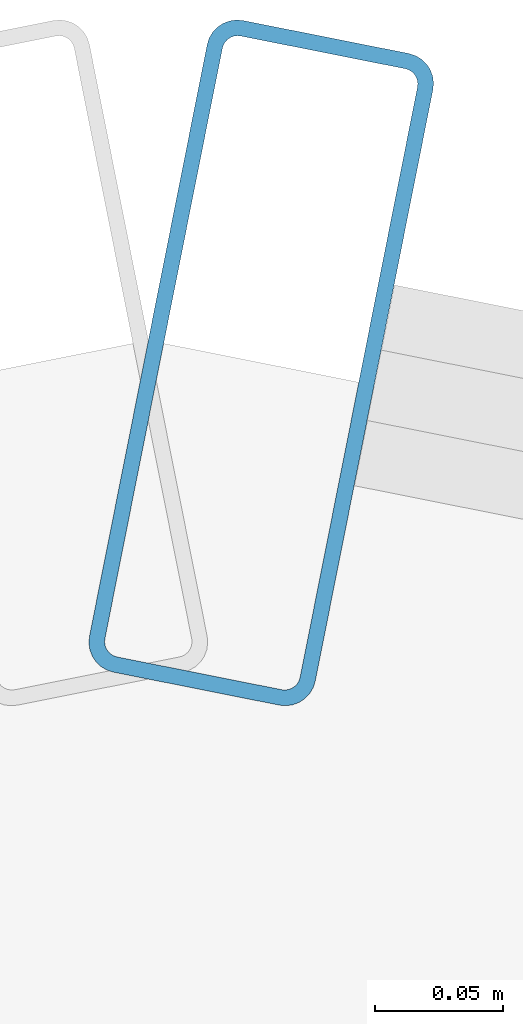
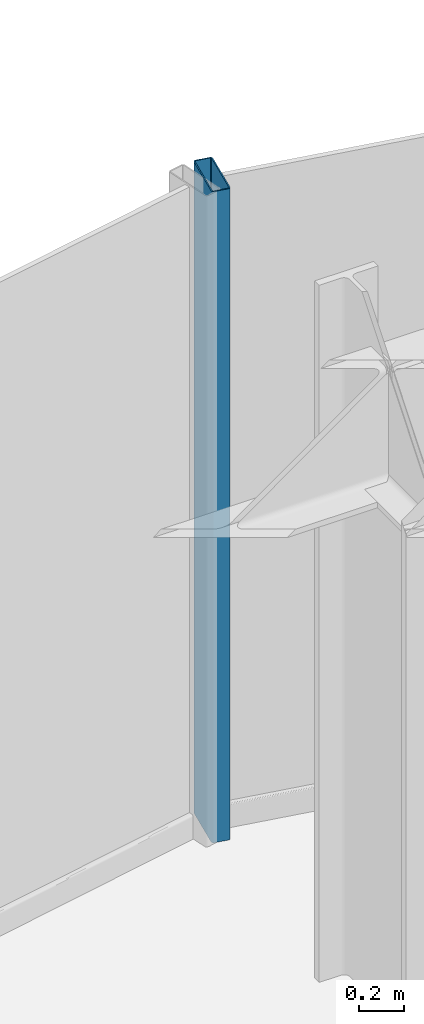
# One storey, part 18 of 26: 1 member, 1 element without a shape of its own.
"""IFC4 building model written with IfcOpenShell, lengths in metres."""

from ifc_helpers import new_model, si_unit, direction, frame, origin, origin_2d, place, context, subcontext, project, spatial, hollow_rectangle, extrude, source, transform, mapped, material, layer, layer_set, material_profile, profile_set, type_object, element, aggregate, save


model = new_model("IFC4")

# Units and contexts
model_context = context("Model", 3, precision=1e-05, world=origin(), true_north=direction((0.0, 1.0)))
body_context = subcontext(model_context, "Body", "Model", "MODEL_VIEW")
ifc_project = project(units=[si_unit("LENGTHUNIT", "METRE"), si_unit("AREAUNIT", "SQUARE_METRE"), si_unit("VOLUMEUNIT", "CUBIC_METRE"), si_unit("PLANEANGLEUNIT", "RADIAN"), si_unit("MASSUNIT", "GRAM", prefix="KILO")], contexts=[model_context])

# Site, building, storey
site_placement = place(None, origin())
site = spatial("IfcSite", under=ifc_project, at=site_placement, CompositionType="ELEMENT")
building_placement = place(site_placement, origin())
building = spatial("IfcBuilding", under=site, at=building_placement, Name="Nefas-Gora Pilgrimage Tower", CompositionType="ELEMENT")
storey_placement = place(building_placement, frame((0.0, 0.0, 160.199951171875)))
storey = spatial("IfcBuildingStorey", under=building, at=storey_placement, Name="L39", CompositionType="ELEMENT", Elevation=160.199951171875)

# Curtain wall, member
ifc_material_1 = material(Name="Dark ceramic-fritted solar-control aluminium-glass curtain wall", Category="aluminium")
ifc_layer = layer(ifc_material_1, 0.219970703125)
ifc_layer_set = layer_set([ifc_layer], Name="Dark ceramic-fritted solar-control aluminium-glass curtain wall")
curtain_wall_type = type_object("IfcCurtainWallType", Name="CW-SYS-5", PredefinedType="NOTDEFINED", material=ifc_layer_set)
curtain_wall_placement = place(storey_placement, origin())
curtain_wall = element("IfcCurtainWall", 1, at=curtain_wall_placement, inside=storey, type_object=curtain_wall_type, Name="L39 Unitised Curtain Wall CW5", PredefinedType="NOTDEFINED")
ifc_material_2 = material(Name="Anodised architectural aluminium", Category="aluminium")
ifc_material_profile = material_profile(ifc_material_2, hollow_rectangle(XDim=0.090087890625, YDim=0.260009765625, WallThickness=0.006103515625, InnerFilletRadius=0.006103515625, OuterFilletRadius=0.011962890625, at=origin_2d()), Name="ALU MULLION 90x260")
ifc_profile_set = profile_set([ifc_material_profile], Name="Anodised architectural aluminium")
member_type = type_object("IfcMemberType", Name="CWM-MUL-5", PredefinedType="MULLION", material=ifc_profile_set)
shared_shape = source(origin(), body_context, "Body", "SweptSolid", [
    extrude(hollow_rectangle(XDim=0.090087890625, YDim=0.260009765625, WallThickness=0.006103515625, InnerFilletRadius=0.006103515625, OuterFilletRadius=0.011962890625, at=origin_2d()), origin(), (0.0, 0.0, 1.0), 3.550048828125),
])
member_placement = place(storey_placement, frame((-2.205810546875, 24.16357421875, 0.0), z_axis=(0.0, 0.0, 1.0), x_axis=(-0.980782896852, 0.195102304554, 0.0)))
member = element("IfcMember", 2, at=member_placement, type_object=member_type, Name="CW5 Mullion 2", PredefinedType="MULLION", context=body_context, shape_type="MappedRepresentation", body=[
    mapped(shared_shape, transform((0.0, 0.0, 0.0), x_axis=(1.0, 0.0, 0.0), y_axis=(0.0, 1.0, 0.0), z_axis=(0.0, 0.0, 1.0), scale=1.0)),
])
aggregate(curtain_wall, [member])

save(model, "model.ifc")
